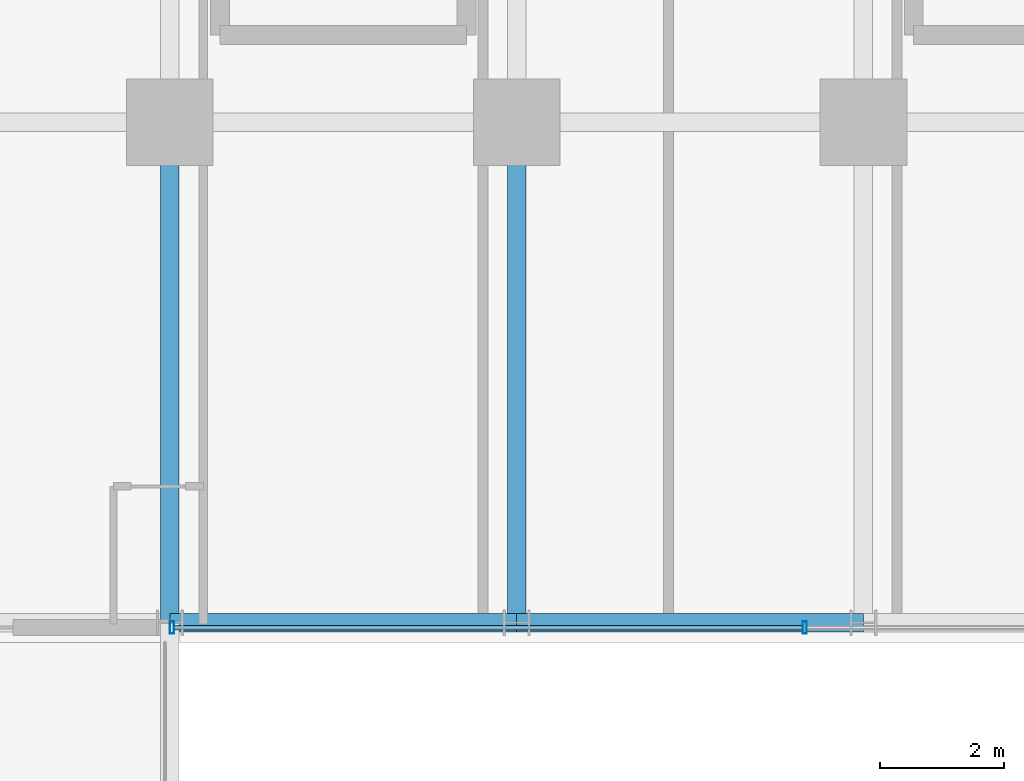
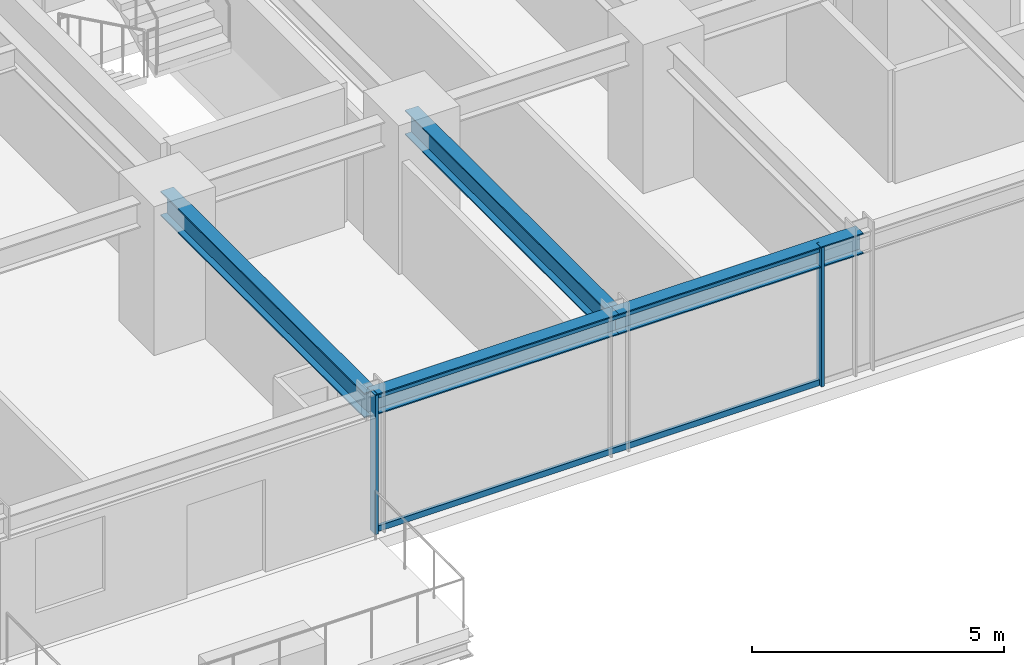
# One storey, part 5 of 43: 4 beams, 4 members, 1 element without a shape of its own.
"""IFC4 building model written with IfcOpenShell, lengths in metres."""

from ifc_helpers import new_model, si_unit, direction, frame, origin, origin_2d, place, context, subcontext, project, spatial, hollow_rectangle, i_section, extrude, source, transform, mapped, material, material_profile, profile_set, type_object, element, aggregate, save


model = new_model("IFC4")

# Units and contexts
model_context = context("Model", 3, precision=1e-05, world=origin(), true_north=direction((0.0, 1.0)))
body_context = subcontext(model_context, "Body", "Model", "MODEL_VIEW")
ifc_project = project(units=[si_unit("LENGTHUNIT", "METRE"), si_unit("AREAUNIT", "SQUARE_METRE"), si_unit("VOLUMEUNIT", "CUBIC_METRE"), si_unit("PLANEANGLEUNIT", "RADIAN"), si_unit("MASSUNIT", "GRAM", prefix="KILO")], contexts=[model_context])

# Site, building, storey
site_placement = place(None, origin())
site = spatial("IfcSite", under=ifc_project, at=site_placement, CompositionType="ELEMENT")
building_placement = place(site_placement, origin())
building = spatial("IfcBuilding", under=site, at=building_placement, Name="Nahalor Promenade Grand Hotel", CompositionType="ELEMENT")
storey_placement = place(building_placement, frame((0.0, 0.0, 57.949951171875)))
storey = spatial("IfcBuildingStorey", under=building, at=storey_placement, Name="L13", CompositionType="ELEMENT", Elevation=57.949951171875)

# Beams
ifc_material_1 = material(Name="Steel S355JR", Category="steel")
ifc_material_profile_1 = material_profile(ifc_material_1, i_section(OverallWidth=0.3, OverallDepth=0.5, WebThickness=0.0145, FlangeThickness=0.028, at=origin_2d()), Name="HEB 500")
ifc_profile_set_1 = profile_set([ifc_material_profile_1], Name="Steel S355JR")
beam_type_1 = type_object("IfcBeamType", Name="Beam-Spandrel-HEB500", PredefinedType="SPANDREL", material=ifc_profile_set_1)
shared_shape_1 = source(origin(), body_context, "Body", "SweptSolid", [
    extrude(i_section(OverallWidth=0.3, OverallDepth=0.5, WebThickness=0.0145, FlangeThickness=0.028, at=origin_2d()), origin(), (0.0, 0.0, 1.0), 5.599853515625),
])
beam_1_placement = place(storey_placement, frame((-8.39990234375, -25.080078125, 3.1201171875), z_axis=(1.0, 0.0, 0.0), x_axis=(0.0, 1.0, 0.0)))
element("IfcBeam", 1, at=beam_1_placement, inside=storey, type_object=beam_type_1, Name="BM-L13-SP-S-1", PredefinedType="SPANDREL", context=body_context, shape_type="MappedRepresentation", body=[
    mapped(shared_shape_1, transform((0.0, 0.0, 0.0), scale=1.0)),
])
shared_shape_2 = source(origin(), body_context, "Body", "SweptSolid", [
    extrude(i_section(OverallWidth=0.3, OverallDepth=0.5, WebThickness=0.0145, FlangeThickness=0.028, at=origin_2d()), origin(), (0.0, 0.0, 1.0), 5.60009765625),
])
beam_2_placement = place(storey_placement, frame((-2.800048828125, -25.080078125, 3.1201171875), z_axis=(1.0, 0.0, 0.0), x_axis=(0.0, 1.0, 0.0)))
element("IfcBeam", 2, at=beam_2_placement, inside=storey, type_object=beam_type_1, Name="BM-L13-SP-S-2", PredefinedType="SPANDREL", context=body_context, shape_type="MappedRepresentation", body=[
    mapped(shared_shape_2, transform((0.0, 0.0, 0.0), scale=1.0)),
])
ifc_material_profile_2 = material_profile(ifc_material_1, i_section(OverallWidth=0.3, OverallDepth=0.6, WebThickness=0.0155, FlangeThickness=0.03, at=origin_2d()), Name="HEB 600")
ifc_profile_set_2 = profile_set([ifc_material_profile_2], Name="Steel S355JR")
beam_type_2 = type_object("IfcBeamType", Name="Beam-Girder-HEB600", PredefinedType="BEAM", material=ifc_profile_set_2)
shared_shape_3 = source(origin(), body_context, "Body", "SweptSolid", [
    extrude(i_section(OverallWidth=0.3, OverallDepth=0.6, WebThickness=0.0155, FlangeThickness=0.03, at=origin_2d()), origin(), (0.0, 0.0, 1.0), 8.080078125),
])
for number, where, z_axis, x_axis, name in (
    (3, (-8.39990234375, -25.080078125, 3.070068359375), (0.0, 1.0, 0.0), (-1.0, 0.0, 0.0), "BM-L13-GY-1-0"),
    (4, (-2.800048828125, -25.080078125, 3.070068359375), (0.0, 1.0, 0.0), (-1.0, 0.0, 0.0), "BM-L13-GY-2-0"),
):
    element("IfcBeam", number, at=place(storey_placement, frame(where, z_axis=z_axis, x_axis=x_axis)), inside=storey, type_object=beam_type_2, Name=name, PredefinedType="BEAM", context=body_context, shape_type="MappedRepresentation", body=[
        mapped(shared_shape_3, transform((0.0, 0.0, 0.0), scale=1.0)),
    ])

# Curtain wall, members
ifc_material_2 = material(Name="Anodised Bronze Aluminium EN AW-6063 T6", Category="aluminium")
curtain_wall_type = type_object("IfcCurtainWallType", Name="CW3 Elliptical-Void Collar Unitised Curtain Wall", PredefinedType="USERDEFINED", material=ifc_material_2)
curtain_wall_placement = place(storey_placement, origin())
curtain_wall = element("IfcCurtainWall", 5, at=curtain_wall_placement, inside=storey, type_object=curtain_wall_type, Name="L13 Curtain Wall CW-L13-S-3", ObjectType="UNITISED_CURTAIN_WALL", PredefinedType="USERDEFINED")
ifc_material_profile_3 = material_profile(ifc_material_2, hollow_rectangle(XDim=0.07, YDim=0.14, WallThickness=0.004, at=origin_2d()), Name="CWT 70x140x4")
ifc_profile_set_3 = profile_set([ifc_material_profile_3], Name="Anodised Bronze Aluminium EN AW-6063 T6")
member_type_1 = type_object("IfcMemberType", Name="CWT3 Void Collar Transom 70x140", PredefinedType="USERDEFINED", material=ifc_profile_set_3)
shared_shape_4 = source(origin(), body_context, "Body", "SweptSolid", [
    extrude(hollow_rectangle(XDim=0.07, YDim=0.14, WallThickness=0.004, at=origin_2d()), origin(), (0.0, 0.0, 1.0), 10.1484375),
])
member_1_placement = place(storey_placement, frame((-8.330078125, -25.159912109375, 0.070068359375), z_axis=(1.0, 0.0, 0.0), x_axis=(0.0, 1.0, 0.0)))
member_1 = element("IfcMember", 6, at=member_1_placement, type_object=member_type_1, Name="CW-L13-S-3 Transom 0-0", ObjectType="TRANSOM", PredefinedType="USERDEFINED", context=body_context, shape_type="MappedRepresentation", body=[
    mapped(shared_shape_4, transform((0.0, 0.0, 0.0), scale=1.0)),
])
member_2_placement = place(storey_placement, frame((-8.330078125, -25.159912109375, 3.300048828125), z_axis=(1.0, 0.0, 0.0), x_axis=(0.0, 1.0, 0.0)))
member_2 = element("IfcMember", 7, at=member_2_placement, type_object=member_type_1, Name="CW-L13-S-3 Transom 0-1", ObjectType="TRANSOM", PredefinedType="USERDEFINED", context=body_context, shape_type="MappedRepresentation", body=[
    mapped(shared_shape_4, transform((0.0, 0.0, 0.0), scale=1.0)),
])
ifc_material_profile_4 = material_profile(ifc_material_2, hollow_rectangle(XDim=0.07, YDim=0.2, WallThickness=0.005, at=origin_2d()), Name="CWM 70x200x5")
ifc_profile_set_4 = profile_set([ifc_material_profile_4], Name="Anodised Bronze Aluminium EN AW-6063 T6")
member_type_2 = type_object("IfcMemberType", Name="CWM3 Void Collar Mullion 70x200", PredefinedType="MULLION", material=ifc_profile_set_4)
shared_shape_5 = source(origin(), body_context, "Body", "SweptSolid", [
    extrude(hollow_rectangle(XDim=0.07, YDim=0.2, WallThickness=0.005, at=origin_2d()), origin(), (0.0, 0.0, 1.0), 3.3701171875),
])
member_3_placement = place(storey_placement, frame((-8.364990234375, -25.159912109375, 0.0), z_axis=(0.0, 0.0, 1.0), x_axis=(1.0, 0.0, 0.0)))
member_3 = element("IfcMember", 8, at=member_3_placement, type_object=member_type_2, Name="CW-L13-S-3 Mullion 0", PredefinedType="MULLION", context=body_context, shape_type="MappedRepresentation", body=[
    mapped(shared_shape_5, transform((0.0, 0.0, 0.0), scale=1.0)),
])
member_4_placement = place(storey_placement, frame((1.853271484375, -25.159912109375, 0.0), z_axis=(0.0, 0.0, 1.0), x_axis=(1.0, 0.0, 0.0)))
member_4 = element("IfcMember", 9, at=member_4_placement, type_object=member_type_2, Name="CW-L13-S-3 Mullion 1", PredefinedType="MULLION", context=body_context, shape_type="MappedRepresentation", body=[
    mapped(shared_shape_5, transform((0.0, 0.0, 0.0), scale=1.0)),
])
aggregate(curtain_wall, [member_3, member_4, member_1, member_2])

save(model, "model.ifc")
